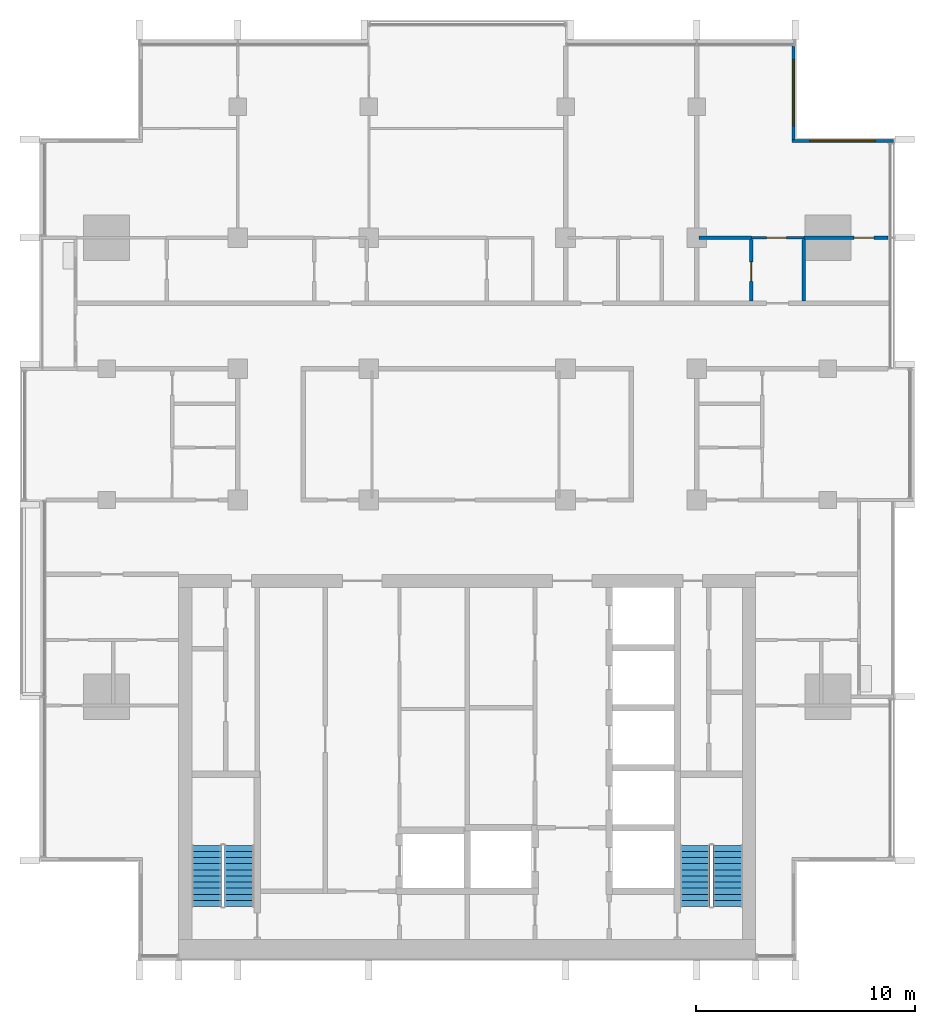
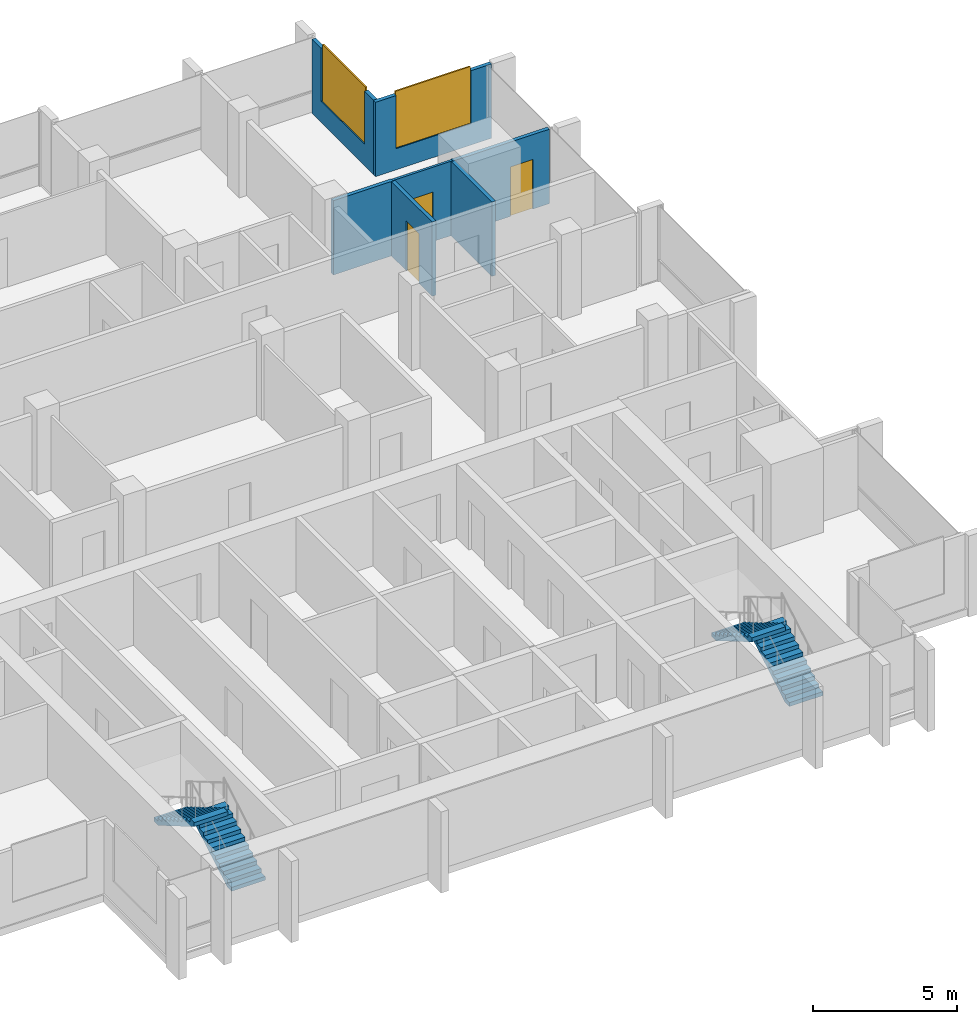
# One storey, part 11 of 16: 7 walls, 4 stair flights, 3 doors, 2 windows, 5 openings, 2 elements without a shape of their own.
"""IFC4 building model written with IfcOpenShell, lengths in metres."""

from ifc_helpers import new_model, si_unit, direction, frame, frame_2d, origin, place, context, subcontext, project, spatial, polyline, rectangle, outline, extrude, material, layer, layer_set, type_object, element, fill, aggregate, save


model = new_model("IFC4")

# Units and contexts
model_context = context("Model", 3, precision=1e-05, world=origin(), true_north=direction((0.0, 1.0)))
body_context = subcontext(model_context, "Body", "Model", "MODEL_VIEW")
ifc_project = project(units=[si_unit("LENGTHUNIT", "METRE"), si_unit("AREAUNIT", "SQUARE_METRE"), si_unit("VOLUMEUNIT", "CUBIC_METRE"), si_unit("PLANEANGLEUNIT", "RADIAN"), si_unit("MASSUNIT", "GRAM", prefix="KILO")], contexts=[model_context])

# Site, building, storey
site_placement = place(None, origin())
site = spatial("IfcSite", under=ifc_project, at=site_placement, CompositionType="ELEMENT")
building_placement = place(site_placement, origin())
building = spatial("IfcBuilding", under=site, at=building_placement, Name="Finial Court Residences", CompositionType="ELEMENT")
storey_placement = place(building_placement, frame((0.0, 0.0, 244.699951171875)))
storey = spatial("IfcBuildingStorey", under=building, at=storey_placement, Name="L62", CompositionType="ELEMENT", Elevation=244.699951171875)

# Wall, opening, door
ifc_material_1 = material(Name="Gypsum board")
ifc_layer_1 = layer(ifc_material_1, 0.012451171875)
ifc_material_2 = material(Name="Mineral wool in light-gauge frame")
ifc_layer_2 = layer(ifc_material_2, 0.074951171875)
ifc_layer_3 = layer(ifc_material_1, 0.012451171875)
ifc_layer_set_1 = layer_set([ifc_layer_1, ifc_layer_2, ifc_layer_3], Name="Gypsum board partition 100")
wall_type_1 = type_object("IfcWallType", Name="Gypsum board partition 100", PredefinedType="PARTITIONING", material=ifc_layer_set_1)
wall_1_placement = place(storey_placement, frame((13.0, 7.5, 0.0), z_axis=(0.0, 0.0, 1.0), x_axis=(1.0, 0.0, 0.0)))
wall_1 = element("IfcWall", 1, at=wall_1_placement, inside=storey, type_object=wall_type_1, Name="Partition L62-021", PredefinedType="PARTITIONING", context=body_context, shape_type="SweptSolid", body=[
    extrude(rectangle(XDim=2.39990234375, YDim=0.10009765625, at=frame_2d((1.199951171875, 0.0))), origin(), (0.0, 0.0, 1.0), 3.150146484375),
])
opening_1_placement = place(wall_1_placement, frame((0.699951171875, 0.0, 0.0)))
opening_1 = element("IfcOpeningElement", 2, at=opening_1_placement, cuts=wall_1, Name="Opening L62-D021", PredefinedType="OPENING", context=body_context, shape_type="SweptSolid", body=[
    extrude(rectangle(XDim=0.89990234375, YDim=2.10009765625, at=frame_2d((0.449951171875, 1.050048828125))), frame((0.0, 0.06005859375, 0.0), z_axis=(0.0, -1.0, 0.0), x_axis=(1.0, 0.0, 0.0)), (0.0, 0.0, 1.0), 0.1201171875),
])
ifc_material_3 = material(Name="Timber door leaf in timber frame", Category="wood")
door_type = type_object("IfcDoorType", Name="Door set 900 x 2100", OperationType="SINGLE_SWING_LEFT", PredefinedType="DOOR", material=ifc_material_3)
door_1_placement = place(opening_1_placement, origin())
door_1 = element("IfcDoor", 3, at=door_1_placement, inside=storey, type_object=door_type, Name="Door L62-D021", OperationType="SINGLE_SWING_RIGHT", OverallHeight=2.10009765625, OverallWidth=0.89990234375, PredefinedType="DOOR", context=body_context, shape_type="SweptSolid", body=[
    extrude(rectangle(XDim=0.89990234375, YDim=2.10009765625, at=frame_2d((0.449951171875, 1.050048828125))), frame((0.0, 0.02490234375, 0.0), z_axis=(0.0, -1.0, 0.0), x_axis=(1.0, 0.0, 0.0)), (0.0, 0.0, 1.0), 0.050048828125),
])
fill(opening_1, door_1)

# Wall
ifc_material_4 = material(Name="Moisture-resistant gypsum board")
ifc_layer_4 = layer(ifc_material_4, 0.012451171875)
ifc_layer_5 = layer(ifc_material_2, 0.125)
ifc_layer_6 = layer(ifc_material_4, 0.012451171875)
ifc_layer_set_2 = layer_set([ifc_layer_4, ifc_layer_5, ifc_layer_6], Name="Gypsum board wet-area partition 150")
wall_type_2 = type_object("IfcWallType", Name="Gypsum board wet-area partition 150", PredefinedType="PARTITIONING", material=ifc_layer_set_2)
wall_2_placement = place(storey_placement, frame((10.60009765625, 7.5, 0.0), z_axis=(0.0, 0.0, 1.0), x_axis=(1.0, 0.0, 0.0)))
element("IfcWall", 4, at=wall_2_placement, inside=storey, type_object=wall_type_2, Name="Partition L62-025", PredefinedType="PARTITIONING", context=body_context, shape_type="SweptSolid", body=[
    extrude(rectangle(XDim=2.39990234375, YDim=0.14990234375, at=frame_2d((1.199951171875, 0.0))), origin(), (0.0, 0.0, 1.0), 3.150146484375),
])

# Wall, opening, door
wall_3_placement = place(storey_placement, frame((15.39990234375, 7.5, 0.0), z_axis=(0.0, 0.0, 1.0), x_axis=(1.0, 0.0, 0.0)))
wall_3 = element("IfcWall", 5, at=wall_3_placement, inside=storey, type_object=wall_type_2, Name="Partition L62-026", PredefinedType="PARTITIONING", context=body_context, shape_type="SweptSolid", body=[
    extrude(rectangle(XDim=3.862548828125, YDim=0.14990234375, at=frame_2d((1.93115234375, 0.0))), origin(), (0.0, 0.0, 1.0), 3.150146484375),
])
opening_2_placement = place(wall_3_placement, frame((2.300048828125, 0.0, 0.0)))
opening_2 = element("IfcOpeningElement", 6, at=opening_2_placement, cuts=wall_3, Name="Opening L62-D023", PredefinedType="OPENING", context=body_context, shape_type="SweptSolid", body=[
    extrude(rectangle(XDim=0.89990234375, YDim=2.10009765625, at=frame_2d((0.449951171875, 1.050048828125))), frame((0.0, 0.0849609375, 0.0), z_axis=(0.0, -1.0, 0.0), x_axis=(1.0, 0.0, 0.0)), (0.0, 0.0, 1.0), 0.169921875),
])
door_2_placement = place(opening_2_placement, origin())
door_2 = element("IfcDoor", 7, at=door_2_placement, inside=storey, type_object=door_type, Name="Door L62-D023", OperationType="SINGLE_SWING_RIGHT", OverallHeight=2.10009765625, OverallWidth=0.89990234375, PredefinedType="DOOR", context=body_context, shape_type="SweptSolid", body=[
    extrude(rectangle(XDim=0.89990234375, YDim=2.10009765625, at=frame_2d((0.449951171875, 1.050048828125))), frame((0.0, 0.02490234375, 0.0), z_axis=(0.0, -1.0, 0.0), x_axis=(1.0, 0.0, 0.0)), (0.0, 0.0, 1.0), 0.050048828125),
])
fill(opening_2, door_2)

wall_4_placement = place(storey_placement, frame((13.0, 4.60009765625, 0.0), z_axis=(0.0, 0.0, 1.0), x_axis=(0.0, 1.0, 0.0)))
wall_4 = element("IfcWall", 8, at=wall_4_placement, inside=storey, type_object=wall_type_2, Name="Partition L62-049", PredefinedType="PARTITIONING", context=body_context, shape_type="SweptSolid", body=[
    extrude(rectangle(XDim=2.824951171875, YDim=0.14990234375, at=frame_2d((1.41259765625, 0.0))), origin(), (0.0, 0.0, 1.0), 3.150146484375),
])
opening_3_placement = place(wall_4_placement, frame((0.89990234375, 0.0, 0.0)))
opening_3 = element("IfcOpeningElement", 9, at=opening_3_placement, cuts=wall_4, Name="Opening L62-D034", PredefinedType="OPENING", context=body_context, shape_type="SweptSolid", body=[
    extrude(rectangle(XDim=0.89990234375, YDim=2.10009765625, at=frame_2d((0.449951171875, 1.050048828125))), frame((0.0, 0.0849609375, 0.0), z_axis=(0.0, -1.0, 0.0), x_axis=(1.0, 0.0, 0.0)), (0.0, 0.0, 1.0), 0.169921875),
])
door_3_placement = place(opening_3_placement, origin())
door_3 = element("IfcDoor", 10, at=door_3_placement, inside=storey, type_object=door_type, Name="Door L62-D034", OperationType="SINGLE_SWING_RIGHT", OverallHeight=2.10009765625, OverallWidth=0.89990234375, PredefinedType="DOOR", context=body_context, shape_type="SweptSolid", body=[
    extrude(rectangle(XDim=0.89990234375, YDim=2.10009765625, at=frame_2d((0.449951171875, 1.050048828125))), frame((0.0, 0.02490234375, 0.0), z_axis=(0.0, -1.0, 0.0), x_axis=(1.0, 0.0, 0.0)), (0.0, 0.0, 1.0), 0.050048828125),
])
fill(opening_3, door_3)

# Wall
wall_5_placement = place(storey_placement, frame((15.39990234375, 4.60009765625, 0.0), z_axis=(0.0, 0.0, 1.0), x_axis=(0.0, 1.0, 0.0)))
element("IfcWall", 11, at=wall_5_placement, inside=storey, type_object=wall_type_2, Name="Partition L62-052", PredefinedType="PARTITIONING", context=body_context, shape_type="SweptSolid", body=[
    extrude(rectangle(XDim=2.824951171875, YDim=0.14990234375, at=frame_2d((1.41259765625, 0.0))), origin(), (0.0, 0.0, 1.0), 3.150146484375),
])

# Wall, opening, window
ifc_material_5 = material(Name="Natural limestone", Category="masonry")
ifc_layer_7 = layer(ifc_material_5, 0.14990234375)
ifc_layer_set_3 = layer_set([ifc_layer_7], Name="Limestone clad wall 150")
wall_type_3 = type_object("IfcWallType", Name="Limestone clad wall 150", PredefinedType="SOLIDWALL", material=ifc_layer_set_3)
wall_6_placement = place(storey_placement, frame((14.925048828125, 16.262451171875, 0.0), z_axis=(0.0, 0.0, 1.0), x_axis=(0.0, -1.0, 0.0)))
wall_6 = element("IfcWall", 12, at=wall_6_placement, inside=storey, type_object=wall_type_3, Name="E-L62-NWE18", PredefinedType="SOLIDWALL", context=body_context, shape_type="SweptSolid", body=[
    extrude(rectangle(XDim=4.262451171875, YDim=0.14990234375, at=frame_2d((2.13134765625, 0.0))), origin(), (0.0, 0.0, 1.0), 3.150146484375),
])
opening_4_placement = place(wall_6_placement, frame((0.631103515625, 0.0, 0.89990234375)))
opening_4 = element("IfcOpeningElement", 13, at=opening_4_placement, cuts=wall_6, Name="Opening WE62-07", PredefinedType="OPENING", context=body_context, shape_type="SweptSolid", body=[
    extrude(rectangle(XDim=3.0, YDim=2.39990234375, at=frame_2d((1.5, 1.199951171875))), frame((0.0, 0.0849609375, 0.0), z_axis=(0.0, -1.0, 0.0), x_axis=(1.0, 0.0, 0.0)), (0.0, 0.0, 1.0), 0.169921875),
])
ifc_material_6 = material(Name="Clear low-e glass", Category="glass")
window_type = type_object("IfcWindowType", Name="Corner window 3000 x 2400", PartitioningType="SINGLE_PANEL", PredefinedType="WINDOW", material=ifc_material_6)
window_1_placement = place(opening_4_placement, origin())
window_1 = element("IfcWindow", 14, at=window_1_placement, inside=storey, type_object=window_type, Name="E-L62-NWE18-W1", OverallHeight=2.39990234375, OverallWidth=3.0, PartitioningType="SINGLE_PANEL", PredefinedType="WINDOW", context=body_context, shape_type="SweptSolid", body=[
    extrude(rectangle(XDim=3.0, YDim=2.39990234375, at=frame_2d((1.5, 1.199951171875))), frame((0.0, 0.030029296875, 0.0), z_axis=(0.0, -1.0, 0.0), x_axis=(1.0, 0.0, 0.0)), (0.0, 0.0, 1.0), 0.06005859375),
])
fill(opening_4, window_1)

wall_7_placement = place(storey_placement, frame((14.85009765625, 11.925048828125, 0.0), z_axis=(0.0, 0.0, 1.0), x_axis=(1.0, 0.0, 0.0)))
wall_7 = element("IfcWall", 15, at=wall_7_placement, inside=storey, type_object=wall_type_3, Name="E-L62-NWN19", PredefinedType="SOLIDWALL", context=body_context, shape_type="SweptSolid", body=[
    extrude(rectangle(XDim=4.64990234375, YDim=0.14990234375, at=frame_2d((2.324951171875, 0.0))), origin(), (0.0, 0.0, 1.0), 3.150146484375),
])
opening_5_placement = place(wall_7_placement, frame((0.824951171875, 0.0, 0.89990234375)))
opening_5 = element("IfcOpeningElement", 16, at=opening_5_placement, cuts=wall_7, Name="Opening WE62-08", PredefinedType="OPENING", context=body_context, shape_type="SweptSolid", body=[
    extrude(rectangle(XDim=3.0, YDim=2.39990234375, at=frame_2d((1.5, 1.199951171875))), frame((0.0, 0.0849609375, 0.0), z_axis=(0.0, -1.0, 0.0), x_axis=(1.0, 0.0, 0.0)), (0.0, 0.0, 1.0), 0.169921875),
])
window_2_placement = place(opening_5_placement, origin())
window_2 = element("IfcWindow", 17, at=window_2_placement, inside=storey, type_object=window_type, Name="E-L62-NWN19-W1", OverallHeight=2.39990234375, OverallWidth=3.0, PartitioningType="SINGLE_PANEL", PredefinedType="WINDOW", context=body_context, shape_type="SweptSolid", body=[
    extrude(rectangle(XDim=3.0, YDim=2.39990234375, at=frame_2d((1.5, 1.199951171875))), frame((0.0, 0.030029296875, 0.0), z_axis=(0.0, -1.0, 0.0), x_axis=(1.0, 0.0, 0.0)), (0.0, 0.0, 1.0), 0.06005859375),
])
fill(opening_5, window_2)

# Stair, stair flights
ifc_material_7 = material(Name="Concrete C50/60", Category="concrete")
stair_type = type_object("IfcStairType", Name="Exit stair 22 risers of 163.6 mm", PredefinedType="HALF_TURN_STAIR", material=ifc_material_7)
stair_1_placement = place(storey_placement, origin())
stair_1 = element("IfcStair", 18, at=stair_1_placement, inside=storey, type_object=stair_type, Name="L62 Exit stair ST-1", PredefinedType="HALF_TURN_STAIR")
stair_flight_type = type_object("IfcStairFlightType", Name="Exit stair flight", PredefinedType="STRAIGHT", material=ifc_material_7)
stair_flight_1_placement = place(storey_placement, frame((-10.425048828125, -23.10009765625, 0.0), z_axis=(0.0, 0.0, 1.0), x_axis=(0.0, 1.0, 0.0)))
stair_flight_1 = element("IfcStairFlight", 19, at=stair_flight_1_placement, type_object=stair_flight_type, Name="ST-1 flight 1", NumberOfRisers=11, NumberOfTreads=10, PredefinedType="STRAIGHT", RiserHeight=0.163636364, TreadLength=0.28, context=body_context, shape_type="SweptSolid", body=[
    extrude(outline(polyline([(0.0, 0.0), (0.0, 0.16357421875), (0.280029296875, 0.16357421875), (0.280029296875, 0.327392578125), (0.56005859375, 0.327392578125), (0.56005859375, 0.490966796875), (0.840087890625, 0.490966796875), (0.840087890625, 0.654541015625), (1.1201171875, 0.654541015625), (1.1201171875, 0.818115234375), (1.39990234375, 0.818115234375), (1.39990234375, 0.98193359375), (1.679931640625, 0.98193359375), (1.679931640625, 1.1455078125), (1.9599609375, 1.1455078125), (1.9599609375, 1.30908203125), (2.239990234375, 1.30908203125), (2.239990234375, 1.47265625), (2.52001953125, 1.47265625), (2.52001953125, 1.636474609375), (2.800048828125, 1.636474609375), (2.800048828125, 1.800048828125), (2.800048828125, 1.462646484375), (0.297119140625, 0.0), (0.0, 0.0)])), frame((0.0, 0.675048828125, 0.0), z_axis=(0.0, -1.0, 0.0), x_axis=(1.0, 0.0, 0.0)), (0.0, 0.0, 1.0), 1.35009765625),
])
stair_flight_2_placement = place(storey_placement, frame((-11.925048828125, -20.300048828125, 1.800048828125), z_axis=(0.0, 0.0, 1.0), x_axis=(0.0, -1.0, 0.0)))
stair_flight_2 = element("IfcStairFlight", 20, at=stair_flight_2_placement, type_object=stair_flight_type, Name="ST-1 flight 2", NumberOfRisers=11, NumberOfTreads=10, PredefinedType="STRAIGHT", RiserHeight=0.163636364, TreadLength=0.28, context=body_context, shape_type="SweptSolid", body=[
    extrude(outline(polyline([(0.0, 0.0), (0.0, 0.16357421875), (0.280029296875, 0.16357421875), (0.280029296875, 0.327392578125), (0.56005859375, 0.327392578125), (0.56005859375, 0.490966796875), (0.840087890625, 0.490966796875), (0.840087890625, 0.654541015625), (1.1201171875, 0.654541015625), (1.1201171875, 0.818115234375), (1.39990234375, 0.818115234375), (1.39990234375, 0.98193359375), (1.679931640625, 0.98193359375), (1.679931640625, 1.1455078125), (1.9599609375, 1.1455078125), (1.9599609375, 1.30908203125), (2.239990234375, 1.30908203125), (2.239990234375, 1.47265625), (2.52001953125, 1.47265625), (2.52001953125, 1.636474609375), (2.800048828125, 1.636474609375), (2.800048828125, 1.800048828125), (2.800048828125, 1.462646484375), (0.297119140625, 0.0), (0.0, 0.0)])), frame((0.0, 0.675048828125, 0.0), z_axis=(0.0, -1.0, 0.0), x_axis=(1.0, 0.0, 0.0)), (0.0, 0.0, 1.0), 1.35009765625),
])
aggregate(stair_1, [stair_flight_1, stair_flight_2])

stair_2_placement = place(storey_placement, origin())
stair_2 = element("IfcStair", 21, at=stair_2_placement, inside=storey, type_object=stair_type, Name="L62 Exit stair ST-2", PredefinedType="HALF_TURN_STAIR")
stair_flight_3_placement = place(storey_placement, frame((11.925048828125, -23.10009765625, 0.0), z_axis=(0.0, 0.0, 1.0), x_axis=(0.0, 1.0, 0.0)))
stair_flight_3 = element("IfcStairFlight", 22, at=stair_flight_3_placement, type_object=stair_flight_type, Name="ST-2 flight 1", NumberOfRisers=11, NumberOfTreads=10, PredefinedType="STRAIGHT", RiserHeight=0.163636364, TreadLength=0.28, context=body_context, shape_type="SweptSolid", body=[
    extrude(outline(polyline([(0.0, 0.0), (0.0, 0.16357421875), (0.280029296875, 0.16357421875), (0.280029296875, 0.327392578125), (0.56005859375, 0.327392578125), (0.56005859375, 0.490966796875), (0.840087890625, 0.490966796875), (0.840087890625, 0.654541015625), (1.1201171875, 0.654541015625), (1.1201171875, 0.818115234375), (1.39990234375, 0.818115234375), (1.39990234375, 0.98193359375), (1.679931640625, 0.98193359375), (1.679931640625, 1.1455078125), (1.9599609375, 1.1455078125), (1.9599609375, 1.30908203125), (2.239990234375, 1.30908203125), (2.239990234375, 1.47265625), (2.52001953125, 1.47265625), (2.52001953125, 1.636474609375), (2.800048828125, 1.636474609375), (2.800048828125, 1.800048828125), (2.800048828125, 1.462646484375), (0.297119140625, 0.0), (0.0, 0.0)])), frame((0.0, 0.675048828125, 0.0), z_axis=(0.0, -1.0, 0.0), x_axis=(1.0, 0.0, 0.0)), (0.0, 0.0, 1.0), 1.35009765625),
])
stair_flight_4_placement = place(storey_placement, frame((10.425048828125, -20.300048828125, 1.800048828125), z_axis=(0.0, 0.0, 1.0), x_axis=(0.0, -1.0, 0.0)))
stair_flight_4 = element("IfcStairFlight", 23, at=stair_flight_4_placement, type_object=stair_flight_type, Name="ST-2 flight 2", NumberOfRisers=11, NumberOfTreads=10, PredefinedType="STRAIGHT", RiserHeight=0.163636364, TreadLength=0.28, context=body_context, shape_type="SweptSolid", body=[
    extrude(outline(polyline([(0.0, 0.0), (0.0, 0.16357421875), (0.280029296875, 0.16357421875), (0.280029296875, 0.327392578125), (0.56005859375, 0.327392578125), (0.56005859375, 0.490966796875), (0.840087890625, 0.490966796875), (0.840087890625, 0.654541015625), (1.1201171875, 0.654541015625), (1.1201171875, 0.818115234375), (1.39990234375, 0.818115234375), (1.39990234375, 0.98193359375), (1.679931640625, 0.98193359375), (1.679931640625, 1.1455078125), (1.9599609375, 1.1455078125), (1.9599609375, 1.30908203125), (2.239990234375, 1.30908203125), (2.239990234375, 1.47265625), (2.52001953125, 1.47265625), (2.52001953125, 1.636474609375), (2.800048828125, 1.636474609375), (2.800048828125, 1.800048828125), (2.800048828125, 1.462646484375), (0.297119140625, 0.0), (0.0, 0.0)])), frame((0.0, 0.675048828125, 0.0), z_axis=(0.0, -1.0, 0.0), x_axis=(1.0, 0.0, 0.0)), (0.0, 0.0, 1.0), 1.35009765625),
])
aggregate(stair_2, [stair_flight_3, stair_flight_4])

save(model, "model.ifc")
